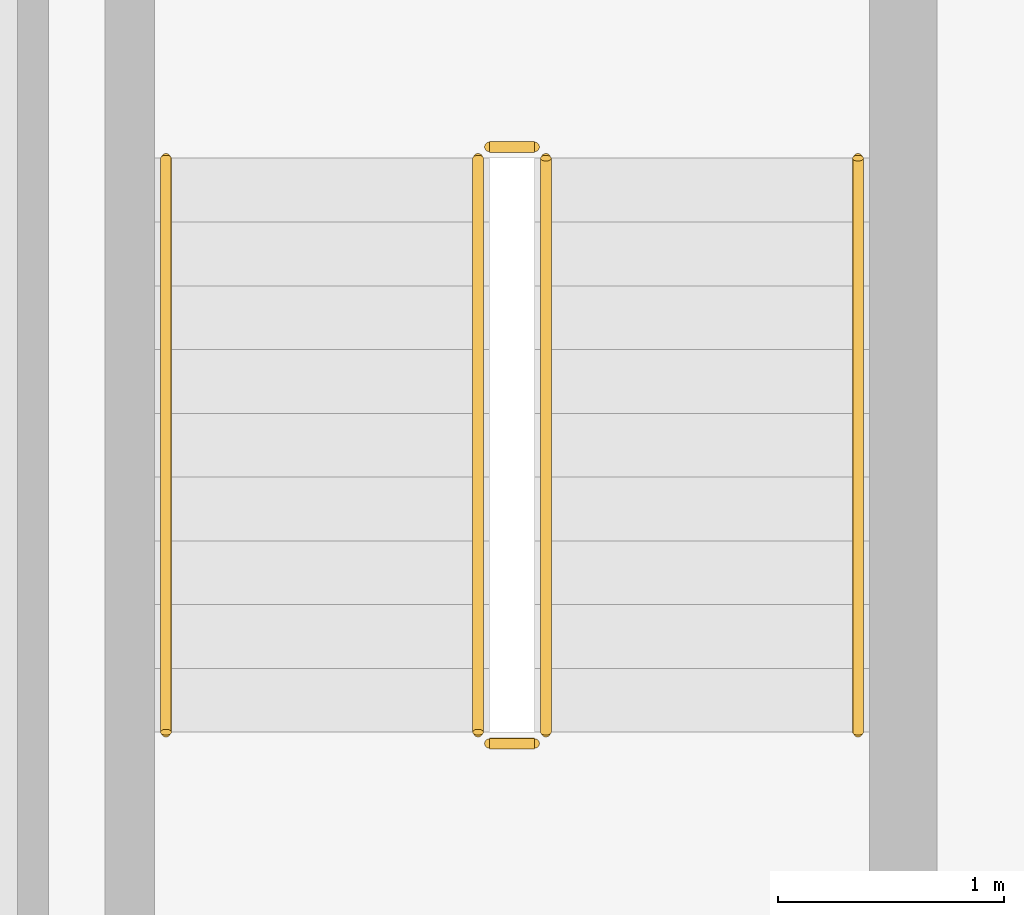
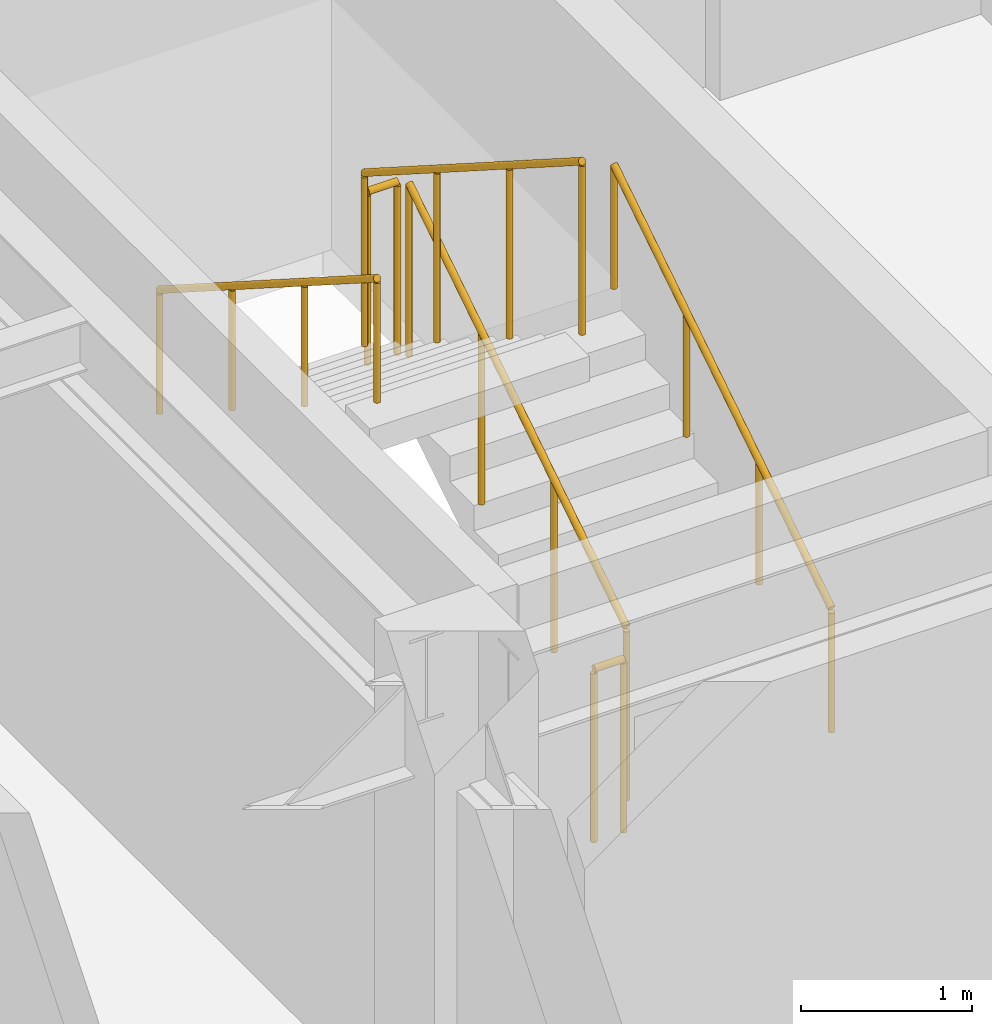
# One storey, part 10 of 11: 6 railings.
"""IFC4 building model written with IfcOpenShell, lengths in metres."""

import ifcopenshell
import ifcopenshell.guid

model = None  # the IFC model being written
_history = None  # IfcOwnerHistory: only IFC2X3 demands one
_inside = {}  # id of a spatial element -> (the spatial element, [elements in it])
_under = {}  # id of a project, library or spatial element -> (it, [spatial elements below it])
_declared = {}  # id of a project -> (the project, [libraries it declares])
_typed = {}  # id of a type object -> (the type object, [elements of that type])
_made_of = {}  # id of a material, layer set ... -> (it, [elements and type objects made of it])


def new_model(schema):
    """Start an empty IFC model of exactly this schema.

    Asked for "IFC4X3", IfcOpenShell would pick the latest addendum, in which some entities
    have other attributes; the version numbers below select the first issue.
    IFC2X3 requires an IfcOwnerHistory on every rooted entity: one is made here for all.
    """
    global model, _history
    if schema == "IFC4X3":
        model = ifcopenshell.file(schema_version=(4, 3, 0, 0))
    else:
        model = ifcopenshell.file(schema=schema)
    _inside.clear()
    _under.clear()
    _declared.clear()
    _typed.clear()
    _made_of.clear()
    _history = None
    if model.schema == "IFC2X3":
        org = make("IfcOrganization", Name="unknown")
        user = make(
            "IfcPersonAndOrganization",
            ThePerson=make("IfcPerson", FamilyName="unknown"),
            TheOrganization=org,
        )
        app = make(
            "IfcApplication",
            ApplicationDeveloper=org,
            Version="unknown",
            ApplicationFullName="unknown",
            ApplicationIdentifier="unknown",
        )
        _history = make(
            "IfcOwnerHistory",
            OwningUser=user,
            OwningApplication=app,
            ChangeAction="ADDED",
            CreationDate=0,
        )
    return model


def make(cls, **values):
    """One entity of the class cls with the attributes given. An attribute that is None is left unset."""
    return model.create_entity(
        cls, **{name: value for name, value in values.items() if value is not None}
    )


def rooted(cls, **values):
    """An entity with a GlobalId (a new one), such as an element, a storey or a relation."""
    return make(cls, GlobalId=ifcopenshell.guid.new(), OwnerHistory=_history, **values)


def si_unit(unit_type, name, prefix=None):
    """IfcSIUnit, for example si_unit("LENGTHUNIT", "METRE", prefix="MILLI")."""
    return make("IfcSIUnit", UnitType=unit_type, Prefix=prefix, Name=name)


def assignment(units):
    """IfcUnitAssignment: the units of a project."""
    return None if units is None else make("IfcUnitAssignment", Units=units)


def point(xyz):
    """IfcCartesianPoint."""
    return None if xyz is None else make("IfcCartesianPoint", Coordinates=xyz)


def direction(xyz):
    """IfcDirection."""
    return None if xyz is None else make("IfcDirection", DirectionRatios=xyz)


def frame(location, z_axis=None, x_axis=None):
    """IfcAxis2Placement3D, a coordinate frame: its origin and axes. An axis left out is left unset."""
    return make(
        "IfcAxis2Placement3D",
        Location=point(location),
        Axis=direction(z_axis),
        RefDirection=direction(x_axis),
    )


def frame_2d(location, x_axis=None):
    """IfcAxis2Placement2D, a coordinate frame in the plane: its origin and x axis."""
    return make(
        "IfcAxis2Placement2D", Location=point(location), RefDirection=direction(x_axis)
    )


def origin():
    """The frame at (0, 0, 0) with its axes left unset."""
    return frame((0.0, 0.0, 0.0))


def origin_2d():
    """The frame at (0, 0) in the plane with its x axis left unset."""
    return frame_2d((0.0, 0.0))


def place(relative_to, where):
    """IfcLocalPlacement: puts the frame where relative to a parent placement (None: the world)."""
    return make(
        "IfcLocalPlacement", PlacementRelTo=relative_to, RelativePlacement=where
    )


def context(
    kind, dimensions, precision=None, world=None, true_north=None, identifier=None
):
    """IfcGeometricRepresentationContext, for example the 3D "Model" context."""
    return make(
        "IfcGeometricRepresentationContext",
        ContextIdentifier=identifier,
        ContextType=kind,
        CoordinateSpaceDimension=dimensions,
        Precision=precision,
        WorldCoordinateSystem=world,
        TrueNorth=true_north,
    )


def subcontext(parent, identifier, kind, view, scale=None):
    """IfcGeometricRepresentationSubContext, for example "Body" below "Model"."""
    return make(
        "IfcGeometricRepresentationSubContext",
        ContextIdentifier=identifier,
        ContextType=kind,
        ParentContext=parent,
        TargetScale=scale,
        TargetView=view,
    )


def project(units=None, contexts=None):
    """IfcProject with its units and contexts."""
    return rooted(
        "IfcProject",
        Name="project",
        RepresentationContexts=contexts,
        UnitsInContext=assignment(units),
    )


def spatial(cls, under=None, at=None, **own):
    """A site, building, storey or space (cls), placed at a placement, below another one or the project."""
    s = rooted(cls, ObjectPlacement=at, **own)
    if under is not None:
        _under.setdefault(under.id(), (under, []))[1].append(s)
    return s


def profile(cls, at=None, kind="AREA", **sizes):
    """A parametric profile (cls). Its sizes go by their IFC names, for example OverallWidth=200.0."""
    return make(cls, ProfileType=kind, Position=at, **sizes)


def circle(**sizes):
    """IfcCircleProfileDef."""
    return profile("IfcCircleProfileDef", **sizes)


def extrude(swept, where, along, depth):
    """IfcExtrudedAreaSolid: the profile swept, set in the frame where, extruded along a direction by depth."""
    return make(
        "IfcExtrudedAreaSolid",
        SweptArea=swept,
        Position=where,
        ExtrudedDirection=direction(along),
        Depth=depth,
    )


def shape(context_of_items, identifier, shape_type, items):
    """IfcShapeRepresentation: the items that make up one representation, for example the "Body"."""
    return make(
        "IfcShapeRepresentation",
        ContextOfItems=context_of_items,
        RepresentationIdentifier=identifier,
        RepresentationType=shape_type,
        Items=items,
    )


def material(Name=None, Category=None):
    """IfcMaterial."""
    return make("IfcMaterial", Name=Name, Category=Category)


def made_of(thing, what):
    """Note that an element or type object is made of a material, layer set ...; save() writes the relation."""
    if what is not None:
        _made_of.setdefault(what.id(), (what, []))[1].append(thing)
    return thing


def type_object(cls, material=None, **own):
    """A type object (cls), such as IfcWallType, which elements share."""
    return made_of(rooted(cls, **own), material)


def element(
    cls,
    number,
    at=None,
    inside=None,
    cuts=None,
    type_object=None,
    material=None,
    context=None,
    identifier="Body",
    shape_type=None,
    held_by="IfcProductDefinitionShape",
    body=None,
    shapes=None,
    **own,
):
    """One element of the class cls, such as IfcWall. Its Tag is "e" and its number.

    at: its placement. inside: the storey or other place that contains it. cuts: it is an
    opening in that element (IfcRelVoidsElement). A single representation is given by context,
    identifier, shape_type and body (its items); several are given by shapes. held_by: the class
    of the entity that holds the representations. save() writes the other relations.
    """
    e = rooted(cls, Tag="e%d" % number, ObjectPlacement=at, **own)
    if body is not None:
        shapes = [shape(context, identifier, shape_type, body)]
    if shapes is not None:
        e.Representation = make(held_by, Representations=shapes)
    if inside is not None:
        _inside.setdefault(inside.id(), (inside, []))[1].append(e)
    if cuts is not None:
        rooted(
            "IfcRelVoidsElement", RelatingBuildingElement=cuts, RelatedOpeningElement=e
        )
    if type_object is not None:
        _typed.setdefault(type_object.id(), (type_object, []))[1].append(e)
    return made_of(e, material)


def aggregate(whole, parts):
    """IfcRelAggregates: a whole, such as a stair, and the parts it consists of."""
    return rooted("IfcRelAggregates", RelatingObject=whole, RelatedObjects=parts)


def save(model, path):
    """Write the relations noted so far, then the file.

    IfcRelAggregates (storeys below a building ...), IfcRelContainedInSpatialStructure (elements
    in a storey), IfcRelDefinesByType, IfcRelAssociatesMaterial and IfcRelDeclares: one each for
    every whole, place, type object, material and project.
    """
    for whole, parts in _under.values():
        aggregate(whole, parts)
    for where, things in _inside.values():
        rooted(
            "IfcRelContainedInSpatialStructure",
            RelatedElements=things,
            RelatingStructure=where,
        )
    for kind, things in _typed.values():
        rooted("IfcRelDefinesByType", RelatedObjects=things, RelatingType=kind)
    for what, things in _made_of.values():
        rooted("IfcRelAssociatesMaterial", RelatedObjects=things, RelatingMaterial=what)
    for by, libraries in _declared.values():
        rooted("IfcRelDeclares", RelatingContext=by, RelatedDefinitions=libraries)
    model.write(path)


model = new_model("IFC4")

# Units and contexts
model_context = context("Model", 3, precision=1e-05, world=origin(), true_north=direction((0.0, 1.0)))
body_context = subcontext(model_context, "Body", "Model", "MODEL_VIEW")
ifc_project = project(units=[si_unit("LENGTHUNIT", "METRE"), si_unit("AREAUNIT", "SQUARE_METRE"), si_unit("VOLUMEUNIT", "CUBIC_METRE"), si_unit("PLANEANGLEUNIT", "RADIAN"), si_unit("MASSUNIT", "GRAM", prefix="KILO")], contexts=[model_context])

# Site, building, storey
site_placement = place(None, origin())
site = spatial("IfcSite", under=ifc_project, at=site_placement, CompositionType="ELEMENT")
building_placement = place(site_placement, origin())
building = spatial("IfcBuilding", under=site, at=building_placement, Name="Ochreholt Gables", CompositionType="ELEMENT")
storey_placement = place(building_placement, frame((0.0, 0.0, 155.39990234375)))
storey = spatial("IfcBuildingStorey", under=building, at=storey_placement, Name="L40", CompositionType="ELEMENT", Elevation=155.39990234375)

# Railings
ifc_material_1 = material(Name="Painted Steel Stair Guardrail", Category="steel")
railing_type_1 = type_object("IfcRailingType", Name="RL-ST-GUARD", PredefinedType="GUARDRAIL", material=ifc_material_1)
railing_1_placement = place(storey_placement, frame((26.64990234375, 32.4599609375, 0.18017578125)))
element("IfcRailing", 1, at=railing_1_placement, inside=storey, type_object=railing_type_1, Name="L40 ST-2 stair guard 1", PredefinedType="GUARDRAIL", context=body_context, shape_type="SweptSolid", body=[
    extrude(circle(Radius=0.02392578125, at=origin_2d()), frame((0.0, 0.0, 1.22607421875), z_axis=(0.0, 0.842949592929, 0.537992549931), x_axis=(-1.0, 0.0, 0.0)), (0.0, 0.0, 1.0), 3.010986328125),
    extrude(circle(Radius=0.02099609375, at=origin_2d()), origin(), (0.0, 0.0, 1.0), 1.201904296875),
    extrude(circle(Radius=0.02099609375, at=origin_2d()), frame((0.0, 0.845947265625, 0.5400390625)), (0.0, 0.0, 1.0), 1.201904296875),
    extrude(circle(Radius=0.02099609375, at=origin_2d()), frame((0.0, 1.692138671875, 1.079833984375)), (0.0, 0.0, 1.0), 1.201904296875),
    extrude(circle(Radius=0.02099609375, at=origin_2d()), frame((0.0, 2.5380859375, 1.619873046875)), (0.0, 0.0, 1.0), 1.201904296875),
])
railing_2_placement = place(storey_placement, frame((26.60009765625, 35.048095703125, 1.800048828125)))
element("IfcRailing", 2, at=railing_2_placement, inside=storey, type_object=railing_type_1, Name="L40 ST-2 stair guard 2", PredefinedType="GUARDRAIL", context=body_context, shape_type="SweptSolid", body=[
    extrude(circle(Radius=0.02392578125, at=origin_2d()), frame((0.0, 0.0, 1.22607421875), z_axis=(-1.0, 0.0, 0.0), x_axis=(0.0, -1.0, 0.0)), (0.0, 0.0, 1.0), 0.2001953125),
    extrude(circle(Radius=0.02099609375, at=origin_2d()), origin(), (0.0, 0.0, 1.0), 1.201904296875),
    extrude(circle(Radius=0.02099609375, at=origin_2d()), frame((-0.2001953125, 0.0, 0.0)), (0.0, 0.0, 1.0), 1.201904296875),
])
railing_3_placement = place(storey_placement, frame((26.35009765625, 34.998046875, 1.97998046875)))
element("IfcRailing", 3, at=railing_3_placement, inside=storey, type_object=railing_type_1, Name="L40 ST-2 stair guard 3", PredefinedType="GUARDRAIL", context=body_context, shape_type="SweptSolid", body=[
    extrude(circle(Radius=0.02392578125, at=origin_2d()), frame((0.0, 0.0, 1.22607421875), z_axis=(0.0, -0.842912820907, 0.538050161556), x_axis=(1.0, 0.0, 0.0)), (0.0, 0.0, 1.0), 3.010986328125),
    extrude(circle(Radius=0.02099609375, at=origin_2d()), origin(), (0.0, 0.0, 1.0), 1.201904296875),
    extrude(circle(Radius=0.02099609375, at=origin_2d()), frame((0.0, -0.845947265625, 0.5400390625)), (0.0, 0.0, 1.0), 1.201904296875),
    extrude(circle(Radius=0.02099609375, at=origin_2d()), frame((0.0, -1.692138671875, 1.080078125)), (0.0, 0.0, 1.0), 1.201904296875),
    extrude(circle(Radius=0.02099609375, at=origin_2d()), frame((0.0, -2.5380859375, 1.6201171875)), (0.0, 0.0, 1.0), 1.201904296875),
])
railing_4_placement = place(storey_placement, frame((26.60009765625, 32.409912109375, 0.0)))
element("IfcRailing", 4, at=railing_4_placement, inside=storey, type_object=railing_type_1, Name="L40 ST-2 stair guard 4", PredefinedType="GUARDRAIL", context=body_context, shape_type="SweptSolid", body=[
    extrude(circle(Radius=0.02392578125, at=origin_2d()), frame((0.0, 0.0, 1.22607421875), z_axis=(-1.0, 0.0, 0.0), x_axis=(0.0, -1.0, 0.0)), (0.0, 0.0, 1.0), 0.2001953125),
    extrude(circle(Radius=0.02099609375, at=origin_2d()), origin(), (0.0, 0.0, 1.0), 1.201904296875),
    extrude(circle(Radius=0.02099609375, at=origin_2d()), frame((-0.2001953125, 0.0, 0.0)), (0.0, 0.0, 1.0), 1.201904296875),
])
ifc_material_2 = material(Name="Brushed Stainless Steel Wall Handrail", Category="steel")
railing_type_2 = type_object("IfcRailingType", Name="RL-ST-HAND", PredefinedType="HANDRAIL", material=ifc_material_2)
railing_5_placement = place(storey_placement, frame((28.030029296875, 32.4599609375, 0.18017578125)))
element("IfcRailing", 5, at=railing_5_placement, inside=storey, type_object=railing_type_2, Name="L40 ST-2 stair handrail 1", PredefinedType="HANDRAIL", context=body_context, shape_type="SweptSolid", body=[
    extrude(circle(Radius=0.02392578125, at=origin_2d()), frame((0.0, 0.0, 0.8759765625), z_axis=(0.0, 0.842949592929, 0.537992549931), x_axis=(-1.0, 0.0, 0.0)), (0.0, 0.0, 1.0), 3.010986328125),
    extrude(circle(Radius=0.02099609375, at=origin_2d()), origin(), (0.0, 0.0, 1.0), 0.851806640625),
    extrude(circle(Radius=0.02099609375, at=origin_2d()), frame((0.0, 0.845947265625, 0.5400390625)), (0.0, 0.0, 1.0), 0.851806640625),
    extrude(circle(Radius=0.02099609375, at=origin_2d()), frame((0.0, 1.692138671875, 1.079833984375)), (0.0, 0.0, 1.0), 0.851806640625),
    extrude(circle(Radius=0.02099609375, at=origin_2d()), frame((0.0, 2.5380859375, 1.619873046875)), (0.0, 0.0, 1.0), 0.851806640625),
])
railing_6_placement = place(storey_placement, frame((24.969970703125, 34.998046875, 1.97998046875)))
element("IfcRailing", 6, at=railing_6_placement, inside=storey, type_object=railing_type_2, Name="L40 ST-2 stair handrail 2", PredefinedType="HANDRAIL", context=body_context, shape_type="SweptSolid", body=[
    extrude(circle(Radius=0.02392578125, at=origin_2d()), frame((0.0, 0.0, 0.8759765625), z_axis=(0.0, -0.842912820907, 0.538050161556), x_axis=(1.0, 0.0, 0.0)), (0.0, 0.0, 1.0), 3.010986328125),
    extrude(circle(Radius=0.02099609375, at=origin_2d()), origin(), (0.0, 0.0, 1.0), 0.851806640625),
    extrude(circle(Radius=0.02099609375, at=origin_2d()), frame((0.0, -0.845947265625, 0.5400390625)), (0.0, 0.0, 1.0), 0.851806640625),
    extrude(circle(Radius=0.02099609375, at=origin_2d()), frame((0.0, -1.692138671875, 1.080078125)), (0.0, 0.0, 1.0), 0.851806640625),
    extrude(circle(Radius=0.02099609375, at=origin_2d()), frame((0.0, -2.5380859375, 1.6201171875)), (0.0, 0.0, 1.0), 0.851806640625),
])

save(model, "model.ifc")
